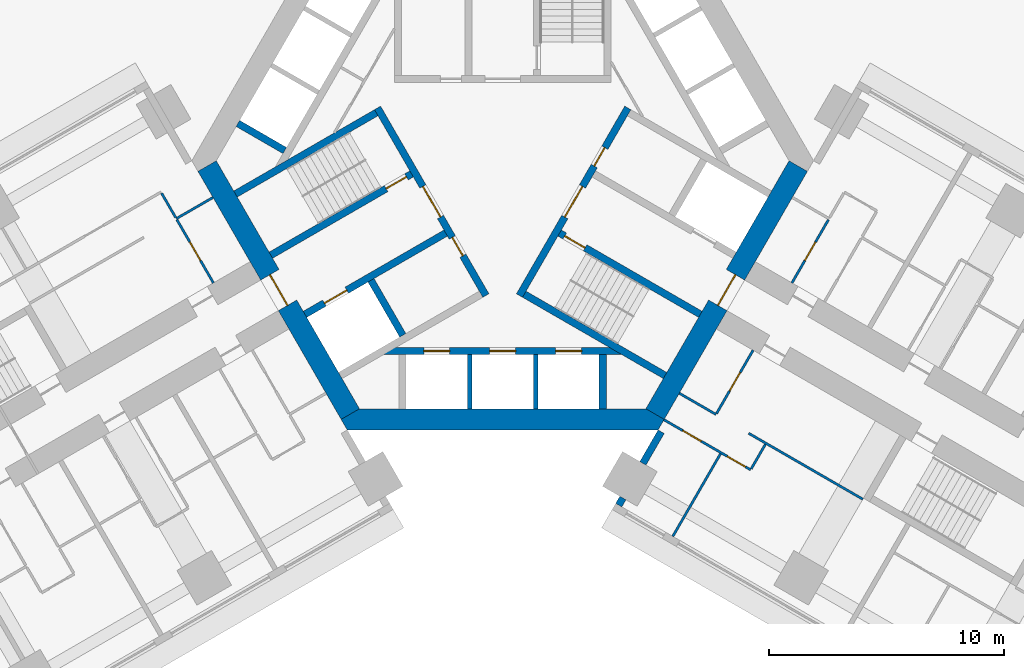
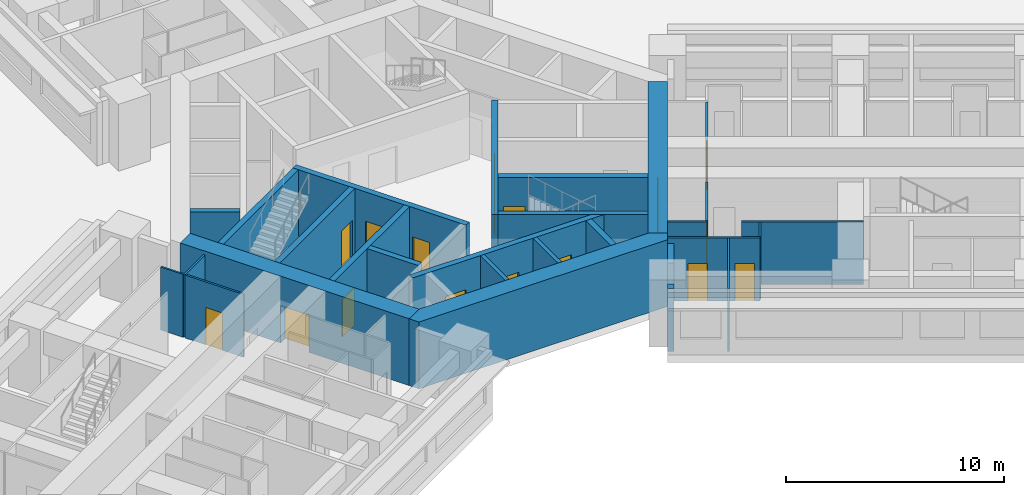
# One storey, part 6 of 18: 28 walls, 17 doors, 17 openings.
"""IFC4 building model written with IfcOpenShell, lengths in metres."""

from ifc_helpers import new_model, si_unit, direction, frame, frame_2d, origin, place, context, subcontext, project, spatial, polyline, rectangle, outline, extrude, material, layer, layer_set, type_object, element, fill, save


model = new_model("IFC4")

# Units and contexts
model_context = context("Model", 3, precision=1e-05, world=origin(), true_north=direction((0.0, 1.0)))
body_context = subcontext(model_context, "Body", "Model", "MODEL_VIEW")
ifc_project = project(units=[si_unit("LENGTHUNIT", "METRE"), si_unit("AREAUNIT", "SQUARE_METRE"), si_unit("VOLUMEUNIT", "CUBIC_METRE"), si_unit("PLANEANGLEUNIT", "RADIAN"), si_unit("MASSUNIT", "GRAM", prefix="KILO")], contexts=[model_context])

# Site, building, storey
site_placement = place(None, origin())
site = spatial("IfcSite", under=ifc_project, at=site_placement, CompositionType="ELEMENT")
building_placement = place(site_placement, origin())
building = spatial("IfcBuilding", under=site, at=building_placement, Name="Impinga Residences", CompositionType="ELEMENT")
storey_placement = place(building_placement, frame((0.0, 0.0, 26.0)))
storey = spatial("IfcBuildingStorey", under=building, at=storey_placement, Name="L05", CompositionType="ELEMENT", Elevation=26.0)

# Walls
ifc_material_1 = material(Name="Terracotta rainscreen on blockwork", Category="masonry")
ifc_layer_1 = layer(ifc_material_1, 0.300048828125)
ifc_layer_set_1 = layer_set([ifc_layer_1], Name="EW1 external wall, terracotta rainscreen on blockwork 300")
wall_type_1 = type_object("IfcWallType", Name="EW1 external wall, terracotta rainscreen on blockwork 300", PredefinedType="SOLIDWALL", material=ifc_layer_set_1)
wall_1_placement = place(storey_placement, frame((4.929931640625, -14.624267578125, 0.0), z_axis=(0.0, 0.0, 1.0), x_axis=(0.49996389635, 0.866046247233, 0.0)))
element("IfcWall", 1, at=wall_1_placement, inside=storey, type_object=wall_type_1, Name="External wall EW1 L05", PredefinedType="SOLIDWALL", context=body_context, shape_type="SweptSolid", body=[
    extrude(rectangle(XDim=0.35009765625, YDim=0.300048828125, at=frame_2d((0.175048828125, 0.0))), origin(), (0.0, 0.0, 1.0), 3.530029296875),
])
wall_2_placement = place(storey_placement, frame((5.954833984375, -12.848876953125, 0.0), z_axis=(0.0, 0.0, 1.0), x_axis=(0.500086022567, 0.865975732936, 0.0)))
element("IfcWall", 2, at=wall_2_placement, inside=storey, type_object=wall_type_1, Name="External wall EW1 L05", PredefinedType="SOLIDWALL", context=body_context, shape_type="SweptSolid", body=[
    extrude(rectangle(XDim=1.550048828125, YDim=0.300048828125, at=frame_2d((0.77490234375, 0.0))), origin(), (0.0, 0.0, 1.0), 3.530029296875),
])
ifc_material_2 = material(Name="Gypsum board on steel studs", Category="steel")
ifc_layer_2 = layer(ifc_material_2, 0.10009765625)
ifc_layer_set_2 = layer_set([ifc_layer_2], Name="Gypsum board on steel studs")
wall_type_2 = type_object("IfcWallType", Name="IP1 partition 100", PredefinedType="PARTITIONING", material=ifc_layer_set_2)
wall_3_placement = place(storey_placement, frame((-12.300048828125, -1.558837890625, 0.0), z_axis=(0.0, 0.0, 1.0), x_axis=(-0.866047807691, -0.499961193289, 0.0)))
element("IfcWall", 3, at=wall_3_placement, inside=storey, type_object=wall_type_2, Name="Partition L05-WF1:DIV0", PredefinedType="PARTITIONING", context=body_context, shape_type="SweptSolid", body=[
    extrude(rectangle(XDim=1.800048828125, YDim=0.10009765625, at=frame_2d((0.89990234375, 0.0))), origin(), (0.0, 0.0, 1.0), 3.530029296875),
])
wall_4_placement = place(storey_placement, frame((-13.8837890625, -2.41552734375, 0.0), z_axis=(0.0, 0.0, 1.0), x_axis=(-0.500033551112, 0.866006032174, 0.0)))
element("IfcWall", 4, at=wall_4_placement, inside=storey, type_object=wall_type_2, Name="Partition L05-WF1:SE0", PredefinedType="PARTITIONING", context=body_context, shape_type="SweptSolid", body=[
    extrude(rectangle(XDim=1.2001953125, YDim=0.10009765625, at=frame_2d((0.60009765625, 0.0))), origin(), (0.0, 0.0, 1.0), 3.530029296875),
])

# Wall, opening, door
wall_5_placement = place(storey_placement, frame((-12.283935546875, -5.186767578125, 0.0), z_axis=(0.0, 0.0, 1.0), x_axis=(-0.499967891604, 0.866043940782, 0.0)))
wall_5 = element("IfcWall", 5, at=wall_5_placement, inside=storey, type_object=wall_type_2, Name="Partition L05-WF1:IB1", PredefinedType="PARTITIONING", context=body_context, shape_type="SweptSolid", body=[
    extrude(rectangle(XDim=3.099853515625, YDim=0.10009765625, at=frame_2d((1.5498046875, 0.0))), origin(), (0.0, 0.0, 1.0), 3.530029296875),
])
opening_1_placement = place(wall_5_placement, frame((1.10009765625, 0.0, 0.0)))
opening_1 = element("IfcOpeningElement", 6, at=opening_1_placement, cuts=wall_5, Name="Opening D2", PredefinedType="OPENING", context=body_context, shape_type="SweptSolid", body=[
    extrude(rectangle(XDim=0.89990234375, YDim=2.10009765625, at=frame_2d((0.449951171875, 1.050048828125))), frame((0.0, 0.06005859375, 0.0), z_axis=(0.0, -1.0, 0.0), x_axis=(1.0, 0.0, 0.0)), (0.0, 0.0, 1.0), 0.1201171875),
])
ifc_material_3 = material(Name="Timber door set", Category="wood")
door_type_1 = type_object("IfcDoorType", Name="D2 internal door 900x2100", OperationType="SINGLE_SWING_LEFT", PredefinedType="DOOR", material=ifc_material_3)
door_1_placement = place(opening_1_placement, origin())
door_1 = element("IfcDoor", 7, at=door_1_placement, inside=storey, type_object=door_type_1, Name="Apartment L05-WF1 bathroom door", OperationType="SINGLE_SWING_LEFT", OverallHeight=2.10009765625, OverallWidth=0.89990234375, PredefinedType="DOOR", context=body_context, shape_type="SweptSolid", body=[
    extrude(rectangle(XDim=0.89990234375, YDim=2.10009765625, at=frame_2d((0.449951171875, 1.050048828125))), frame((0.0, 0.02490234375, 0.0), z_axis=(0.0, -1.0, 0.0), x_axis=(1.0, 0.0, 0.0)), (0.0, 0.0, 1.0), 0.050048828125),
])
fill(opening_1, door_1)

wall_6_placement = place(storey_placement, frame((12.283935546875, -5.186767578125, 0.0), z_axis=(0.0, 0.0, 1.0), x_axis=(0.499967891604, 0.866043940782, 0.0)))
wall_6 = element("IfcWall", 8, at=wall_6_placement, inside=storey, type_object=wall_type_2, Name="Partition L05-EA1:IB1", PredefinedType="PARTITIONING", context=body_context, shape_type="SweptSolid", body=[
    extrude(rectangle(XDim=3.099853515625, YDim=0.10009765625, at=frame_2d((1.5498046875, 0.0))), origin(), (0.0, 0.0, 1.0), 3.530029296875),
])
opening_2_placement = place(wall_6_placement, frame((1.10009765625, 0.0, 0.0)))
opening_2 = element("IfcOpeningElement", 9, at=opening_2_placement, cuts=wall_6, Name="Opening D2", PredefinedType="OPENING", context=body_context, shape_type="SweptSolid", body=[
    extrude(rectangle(XDim=0.89990234375, YDim=2.10009765625, at=frame_2d((0.449951171875, 1.050048828125))), frame((0.0, 0.06005859375, 0.0), z_axis=(0.0, -1.0, 0.0), x_axis=(1.0, 0.0, 0.0)), (0.0, 0.0, 1.0), 0.1201171875),
])
door_2_placement = place(opening_2_placement, origin())
door_2 = element("IfcDoor", 10, at=door_2_placement, inside=storey, type_object=door_type_1, Name="Apartment L05-EA1 bathroom door", OperationType="SINGLE_SWING_LEFT", OverallHeight=2.10009765625, OverallWidth=0.89990234375, PredefinedType="DOOR", context=body_context, shape_type="SweptSolid", body=[
    extrude(rectangle(XDim=0.89990234375, YDim=2.10009765625, at=frame_2d((0.449951171875, 1.050048828125))), frame((0.0, 0.02490234375, 0.0), z_axis=(0.0, -1.0, 0.0), x_axis=(1.0, 0.0, 0.0)), (0.0, 0.0, 1.0), 0.050048828125),
])
fill(opening_2, door_2)

# Walls
wall_7_placement = place(storey_placement, frame((7.5, -9.872802734375, 0.0), z_axis=(0.0, 0.0, 1.0), x_axis=(0.866047807691, -0.499961193289, 0.0)))
element("IfcWall", 11, at=wall_7_placement, inside=storey, type_object=wall_type_2, Name="Partition L05-EF1:DIV0", PredefinedType="PARTITIONING", context=body_context, shape_type="SweptSolid", body=[
    extrude(rectangle(XDim=1.800048828125, YDim=0.10009765625, at=frame_2d((0.89990234375, 0.0))), origin(), (0.0, 0.0, 1.0), 3.530029296875),
])
wall_8_placement = place(storey_placement, frame((10.444580078125, -11.57275390625, 0.0), z_axis=(0.0, 0.0, 1.0), x_axis=(0.866015695474, -0.500016814911, 0.0)))
element("IfcWall", 12, at=wall_8_placement, inside=storey, type_object=wall_type_2, Name="Partition L05-EF1:DIV1", PredefinedType="PARTITIONING", context=body_context, shape_type="SweptSolid", body=[
    extrude(rectangle(XDim=5.599853515625, YDim=0.10009765625, at=frame_2d((2.7998046875, 0.0))), origin(), (0.0, 0.0, 1.0), 3.530029296875),
])

# Wall, openings, doors
wall_9_placement = place(storey_placement, frame((6.85009765625, -10.99853515625, 0.0), z_axis=(0.0, 0.0, 1.0), x_axis=(0.866014341725, -0.50001915956, 0.0)))
wall_9 = element("IfcWall", 13, at=wall_9_placement, inside=storey, type_object=wall_type_2, Name="Partition L05-EF1:STRIP", PredefinedType="PARTITIONING", context=body_context, shape_type="SweptSolid", body=[
    extrude(rectangle(XDim=4.249755859375, YDim=0.10009765625, at=frame_2d((2.125, 0.0))), origin(), (0.0, 0.0, 1.0), 3.530029296875),
])
opening_3_placement = place(wall_9_placement, frame((0.925048828125, 0.0, 0.0)))
opening_3 = element("IfcOpeningElement", 14, at=opening_3_placement, cuts=wall_9, Name="Opening D2", PredefinedType="OPENING", context=body_context, shape_type="SweptSolid", body=[
    extrude(rectangle(XDim=0.89990234375, YDim=2.10009765625, at=frame_2d((0.449951171875, 1.050048828125))), frame((0.0, 0.06005859375, 0.0), z_axis=(0.0, -1.0, 0.0), x_axis=(1.0, 0.0, 0.0)), (0.0, 0.0, 1.0), 0.1201171875),
])
opening_4_placement = place(wall_9_placement, frame((3.10009765625, 0.0, 0.0)))
opening_4 = element("IfcOpeningElement", 15, at=opening_4_placement, cuts=wall_9, Name="Opening D2", PredefinedType="OPENING", context=body_context, shape_type="SweptSolid", body=[
    extrude(rectangle(XDim=0.89990234375, YDim=2.10009765625, at=frame_2d((0.449951171875, 1.050048828125))), frame((0.0, 0.06005859375, 0.0), z_axis=(0.0, -1.0, 0.0), x_axis=(1.0, 0.0, 0.0)), (0.0, 0.0, 1.0), 0.1201171875),
])
door_3_placement = place(opening_3_placement, origin())
door_3 = element("IfcDoor", 16, at=door_3_placement, inside=storey, type_object=door_type_1, Name="Apartment L05-EF1 room door", OperationType="SINGLE_SWING_LEFT", OverallHeight=2.10009765625, OverallWidth=0.89990234375, PredefinedType="DOOR", context=body_context, shape_type="SweptSolid", body=[
    extrude(rectangle(XDim=0.89990234375, YDim=2.10009765625, at=frame_2d((0.449951171875, 1.050048828125))), frame((0.0, 0.02490234375, 0.0), z_axis=(0.0, -1.0, 0.0), x_axis=(1.0, 0.0, 0.0)), (0.0, 0.0, 1.0), 0.050048828125),
])
fill(opening_3, door_3)
door_4_placement = place(opening_4_placement, origin())
door_4 = element("IfcDoor", 17, at=door_4_placement, inside=storey, type_object=door_type_1, Name="Apartment L05-EF1 room door", OperationType="SINGLE_SWING_RIGHT", OverallHeight=2.10009765625, OverallWidth=0.89990234375, PredefinedType="DOOR", context=body_context, shape_type="SweptSolid", body=[
    extrude(rectangle(XDim=0.89990234375, YDim=2.10009765625, at=frame_2d((0.449951171875, 1.050048828125))), frame((0.0, 0.02490234375, 0.0), z_axis=(0.0, -1.0, 0.0), x_axis=(1.0, 0.0, 0.0)), (0.0, 0.0, 1.0), 0.050048828125),
])
fill(opening_4, door_4)

# Wall
wall_10_placement = place(storey_placement, frame((11.155517578125, -12.041015625, 0.0), z_axis=(0.0, 0.0, 1.0), x_axis=(-0.499880961361, -0.866094119867, 0.0)))
element("IfcWall", 18, at=wall_10_placement, inside=storey, type_object=wall_type_2, Name="Partition L05-EF1:SE1", PredefinedType="PARTITIONING", context=body_context, shape_type="SweptSolid", body=[
    extrude(rectangle(XDim=1.199951171875, YDim=0.10009765625, at=frame_2d((0.60009765625, 0.0))), origin(), (0.0, 0.0, 1.0), 3.530029296875),
])

# Wall, opening, door
wall_11_placement = place(storey_placement, frame((10.6337890625, -8.044677734375, 0.0), z_axis=(0.0, 0.0, 1.0), x_axis=(-0.49999285859, -0.86602952684, 0.0)))
wall_11 = element("IfcWall", 19, at=wall_11_placement, inside=storey, type_object=wall_type_2, Name="Partition L05-EF1:IB1", PredefinedType="PARTITIONING", context=body_context, shape_type="SweptSolid", body=[
    extrude(rectangle(XDim=3.10009765625, YDim=0.10009765625, at=frame_2d((1.550048828125, 0.0))), origin(), (0.0, 0.0, 1.0), 3.530029296875),
])
opening_5_placement = place(wall_11_placement, frame((1.10009765625, 0.0, 0.0)))
opening_5 = element("IfcOpeningElement", 20, at=opening_5_placement, cuts=wall_11, Name="Opening D2", PredefinedType="OPENING", context=body_context, shape_type="SweptSolid", body=[
    extrude(rectangle(XDim=0.89990234375, YDim=2.10009765625, at=frame_2d((0.449951171875, 1.050048828125))), frame((0.0, 0.06005859375, 0.0), z_axis=(0.0, -1.0, 0.0), x_axis=(1.0, 0.0, 0.0)), (0.0, 0.0, 1.0), 0.1201171875),
])
door_5_placement = place(opening_5_placement, origin())
door_5 = element("IfcDoor", 21, at=door_5_placement, inside=storey, type_object=door_type_1, Name="Apartment L05-EF1 bathroom door", OperationType="SINGLE_SWING_LEFT", OverallHeight=2.10009765625, OverallWidth=0.89990234375, PredefinedType="DOOR", context=body_context, shape_type="SweptSolid", body=[
    extrude(rectangle(XDim=0.89990234375, YDim=2.10009765625, at=frame_2d((0.449951171875, 1.050048828125))), frame((0.0, 0.02490234375, 0.0), z_axis=(0.0, -1.0, 0.0), x_axis=(1.0, 0.0, 0.0)), (0.0, 0.0, 1.0), 0.050048828125),
])
fill(opening_5, door_5)

# Wall
wall_12_placement = place(storey_placement, frame((9.249755859375, -12.44189453125, 0.0), z_axis=(0.0, 0.0, 1.0), x_axis=(-0.499990325971, -0.866030989016, 0.0)))
element("IfcWall", 22, at=wall_12_placement, inside=storey, type_object=wall_type_2, Name="Partition L05-EF1:OB1", PredefinedType="PARTITIONING", context=body_context, shape_type="SweptSolid", body=[
    extrude(rectangle(XDim=4.0498046875, YDim=0.10009765625, at=frame_2d((2.02490234375, 0.0))), origin(), (0.0, 0.0, 1.0), 3.530029296875),
])

# Wall, opening, door
ifc_material_4 = material(Name="Concrete C70/85", Category="concrete")
ifc_layer_3 = layer(ifc_material_4, 0.89990234375)
ifc_layer_set_3 = layer_set([ifc_layer_3], Name="Concrete C70/85")
wall_type_3 = type_object("IfcWallType", Name="SW1 core wall 900", PredefinedType="SHEAR", material=ifc_layer_set_3)
wall_13_placement = place(storey_placement, frame((-6.47021484375, -10.756591796875, 0.0), z_axis=(0.0, 0.0, 1.0), x_axis=(-0.499997612506, 0.8660267822, 0.0)))
wall_13 = element("IfcWall", 23, at=wall_13_placement, inside=storey, type_object=wall_type_3, Name="Core wall SW1 W:FACE L05", PredefinedType="SHEAR", context=body_context, shape_type="SweptSolid", body=[
    extrude(rectangle(XDim=12.16064453125, YDim=0.89990234375, at=frame_2d((6.080322265625, 0.0))), origin(), (0.0, 0.0, 1.0), 3.75),
])
opening_6_placement = place(wall_13_placement, frame((5.330322265625, 0.0, 0.0)))
opening_6 = element("IfcOpeningElement", 24, at=opening_6_placement, cuts=wall_13, Name="Opening D4", PredefinedType="OPENING", context=body_context, shape_type="SweptSolid", body=[
    extrude(rectangle(XDim=1.5, YDim=2.10009765625, at=frame_2d((0.75, 1.050048828125))), frame((0.0, 0.4599609375, 0.0), z_axis=(0.0, -1.0, 0.0), x_axis=(1.0, 0.0, 0.0)), (0.0, 0.0, 1.0), 0.919921875),
])
door_type_2 = type_object("IfcDoorType", Name="D4 lobby door pair 1500x2100", OperationType="DOUBLE_DOOR_DOUBLE_SWING", PredefinedType="DOOR", material=ifc_material_3)
door_6_placement = place(opening_6_placement, origin())
door_6 = element("IfcDoor", 25, at=door_6_placement, inside=storey, type_object=door_type_2, Name="Lobby door W", OperationType="DOUBLE_DOOR_DOUBLE_SWING", OverallHeight=2.10009765625, OverallWidth=1.5, PredefinedType="DOOR", context=body_context, shape_type="SweptSolid", body=[
    extrude(rectangle(XDim=1.5, YDim=2.10009765625, at=frame_2d((0.75, 1.050048828125))), frame((0.0, 0.02490234375, 0.0), z_axis=(0.0, -1.0, 0.0), x_axis=(1.0, 0.0, 0.0)), (0.0, 0.0, 1.0), 0.050048828125),
])
fill(opening_6, door_6)

wall_14_placement = place(storey_placement, frame((12.550537109375, -0.22509765625, 0.0), z_axis=(0.0, 0.0, 1.0), x_axis=(-0.499997612506, -0.8660267822, 0.0)))
wall_14 = element("IfcWall", 26, at=wall_14_placement, inside=storey, type_object=wall_type_3, Name="Core wall SW1 E:FACE L05", PredefinedType="SHEAR", context=body_context, shape_type="SweptSolid", body=[
    extrude(rectangle(XDim=12.16064453125, YDim=0.89990234375, at=frame_2d((6.080322265625, 0.0))), origin(), (0.0, 0.0, 1.0), 3.75),
])
opening_7_placement = place(wall_14_placement, frame((5.330322265625, 0.0, 0.0)))
opening_7 = element("IfcOpeningElement", 27, at=opening_7_placement, cuts=wall_14, Name="Opening D4", PredefinedType="OPENING", context=body_context, shape_type="SweptSolid", body=[
    extrude(rectangle(XDim=1.5, YDim=2.10009765625, at=frame_2d((0.75, 1.050048828125))), frame((0.0, 0.4599609375, 0.0), z_axis=(0.0, -1.0, 0.0), x_axis=(1.0, 0.0, 0.0)), (0.0, 0.0, 1.0), 0.919921875),
])
door_7_placement = place(opening_7_placement, origin())
door_7 = element("IfcDoor", 28, at=door_7_placement, inside=storey, type_object=door_type_2, Name="Lobby door E", OperationType="DOUBLE_DOOR_DOUBLE_SWING", OverallHeight=2.10009765625, OverallWidth=1.5, PredefinedType="DOOR", context=body_context, shape_type="SweptSolid", body=[
    extrude(rectangle(XDim=1.5, YDim=2.10009765625, at=frame_2d((0.75, 1.050048828125))), frame((0.0, 0.02490234375, 0.0), z_axis=(0.0, -1.0, 0.0), x_axis=(1.0, 0.0, 0.0)), (0.0, 0.0, 1.0), 0.050048828125),
])
fill(opening_7, door_7)

# Wall
wall_15_placement = place(storey_placement, origin())
element("IfcWall", 29, at=wall_15_placement, inside=storey, type_object=wall_type_3, Name="Core wall SW1 N:EXPOSED L05", PredefinedType="SHEAR", context=body_context, shape_type="SweptSolid", body=[
    extrude(outline(polyline([(-6.60009765625, -11.431640625), (6.60009765625, -11.431640625), (6.85986328125, -10.9814453125), (6.080322265625, -10.531494140625), (-6.080322265625, -10.531494140625), (-6.85986328125, -10.9814453125), (-6.60009765625, -11.431640625)])), origin(), (0.0, 0.0, 1.0), 3.75),
])

# Wall, openings, doors
ifc_layer_4 = layer(ifc_material_4, 0.300048828125)
ifc_layer_set_4 = layer_set([ifc_layer_4], Name="Concrete C70/85")
wall_type_4 = type_object("IfcWallType", Name="SW5 core inner wall, stairs, shafts and lobbies 300", PredefinedType="SHEAR", material=ifc_layer_set_4)
wall_16_placement = place(storey_placement, frame((-0.7138671875, -5.7236328125, 0.0), z_axis=(0.0, 0.0, 1.0), x_axis=(-0.499995050369, 0.866028261437, 0.0)))
wall_16 = element("IfcWall", 30, at=wall_16_placement, inside=storey, type_object=wall_type_4, Name="Core wall SW5 W:ZONE L05", PredefinedType="SHEAR", context=body_context, shape_type="SweptSolid", body=[
    extrude(rectangle(XDim=9.19970703125, YDim=0.300048828125, at=frame_2d((4.599853515625, 0.0))), origin(), (0.0, 0.0, 1.0), 3.75),
])
opening_8_placement = place(wall_16_placement, frame((3.85009765625, 0.0, 0.0)))
opening_8 = element("IfcOpeningElement", 31, at=opening_8_placement, cuts=wall_16, Name="Opening D4", PredefinedType="OPENING", context=body_context, shape_type="SweptSolid", body=[
    extrude(rectangle(XDim=1.5, YDim=2.10009765625, at=frame_2d((0.75, 1.050048828125))), frame((0.0, 0.159912109375, 0.0), z_axis=(0.0, -1.0, 0.0), x_axis=(1.0, 0.0, 0.0)), (0.0, 0.0, 1.0), 0.320068359375),
])
opening_9_placement = place(wall_16_placement, frame((1.949951171875, 0.0, 0.0)))
opening_9 = element("IfcOpeningElement", 32, at=opening_9_placement, cuts=wall_16, Name="Opening D6", PredefinedType="OPENING", context=body_context, shape_type="SweptSolid", body=[
    extrude(rectangle(XDim=0.89990234375, YDim=2.10009765625, at=frame_2d((0.449951171875, 1.050048828125))), frame((0.0, 0.159912109375, 0.0), z_axis=(0.0, -1.0, 0.0), x_axis=(1.0, 0.0, 0.0)), (0.0, 0.0, 1.0), 0.320068359375),
])
door_8_placement = place(opening_8_placement, origin())
door_8 = element("IfcDoor", 33, at=door_8_placement, inside=storey, type_object=door_type_2, Name="Firefighting lobby door W", OperationType="DOUBLE_DOOR_DOUBLE_SWING", OverallHeight=2.10009765625, OverallWidth=1.5, PredefinedType="DOOR", context=body_context, shape_type="SweptSolid", body=[
    extrude(rectangle(XDim=1.5, YDim=2.10009765625, at=frame_2d((0.75, 1.050048828125))), frame((0.0, 0.02490234375, 0.0), z_axis=(0.0, -1.0, 0.0), x_axis=(1.0, 0.0, 0.0)), (0.0, 0.0, 1.0), 0.050048828125),
])
fill(opening_8, door_8)
door_type_3 = type_object("IfcDoorType", Name="D6 riser and store door 900x2100", OperationType="SINGLE_SWING_LEFT", PredefinedType="DOOR", material=ifc_material_3)
door_9_placement = place(opening_9_placement, origin())
door_9 = element("IfcDoor", 34, at=door_9_placement, inside=storey, type_object=door_type_3, Name="Riser door W", OperationType="SINGLE_SWING_LEFT", OverallHeight=2.10009765625, OverallWidth=0.89990234375, PredefinedType="DOOR", context=body_context, shape_type="SweptSolid", body=[
    extrude(rectangle(XDim=0.89990234375, YDim=2.10009765625, at=frame_2d((0.449951171875, 1.050048828125))), frame((0.0, 0.02490234375, 0.0), z_axis=(0.0, -1.0, 0.0), x_axis=(1.0, 0.0, 0.0)), (0.0, 0.0, 1.0), 0.050048828125),
])
fill(opening_9, door_9)

# Wall, opening, door
wall_17_placement = place(storey_placement, frame((-3.86865234375, -0.559326171875, 0.0), z_axis=(0.0, 0.0, 1.0), x_axis=(-0.86602711848, -0.499997030048, 0.0)))
wall_17 = element("IfcWall", 35, at=wall_17_placement, inside=storey, type_object=wall_type_4, Name="Core wall SW5 W:ST-IN L05", PredefinedType="SHEAR", context=body_context, shape_type="SweptSolid", body=[
    extrude(rectangle(XDim=6.9013671875, YDim=0.300048828125, at=frame_2d((3.45068359375, 0.0))), origin(), (0.0, 0.0, 1.0), 3.75),
])
opening_10_placement = place(wall_17_placement, frame((0.25, 0.0, 0.0)))
opening_10 = element("IfcOpeningElement", 36, at=opening_10_placement, cuts=wall_17, Name="Opening D5", PredefinedType="OPENING", context=body_context, shape_type="SweptSolid", body=[
    extrude(rectangle(XDim=1.0, YDim=2.10009765625, at=frame_2d((0.5, 1.050048828125))), frame((0.0, 0.159912109375, 0.0), z_axis=(0.0, -1.0, 0.0), x_axis=(1.0, 0.0, 0.0)), (0.0, 0.0, 1.0), 0.320068359375),
])
door_type_4 = type_object("IfcDoorType", Name="D5 stair door 1000x2100", OperationType="SINGLE_SWING_LEFT", PredefinedType="DOOR", material=ifc_material_3)
door_10_placement = place(opening_10_placement, origin())
door_10 = element("IfcDoor", 37, at=door_10_placement, inside=storey, type_object=door_type_4, Name="Stair door W", OperationType="SINGLE_SWING_LEFT", OverallHeight=2.10009765625, OverallWidth=1.0, PredefinedType="DOOR", context=body_context, shape_type="SweptSolid", body=[
    extrude(rectangle(XDim=1.0, YDim=2.10009765625, at=frame_2d((0.5, 1.050048828125))), frame((0.0, 0.02490234375, 0.0), z_axis=(0.0, -1.0, 0.0), x_axis=(1.0, 0.0, 0.0)), (0.0, 0.0, 1.0), 0.050048828125),
])
fill(opening_10, door_10)

# Wall
wall_18_placement = place(storey_placement, frame((-5.36865234375, 2.038818359375, 0.0), z_axis=(0.0, 0.0, 1.0), x_axis=(-0.86602711848, -0.499997030048, 0.0)))
element("IfcWall", 38, at=wall_18_placement, inside=storey, type_object=wall_type_4, Name="Core wall SW5 W:ST-OUT L05", PredefinedType="SHEAR", context=body_context, shape_type="SweptSolid", body=[
    extrude(rectangle(XDim=6.9013671875, YDim=0.300048828125, at=frame_2d((3.45068359375, 0.0))), origin(), (0.0, 0.0, 1.0), 3.75),
])

# Wall, opening, door
wall_19_placement = place(storey_placement, frame((-2.418701171875, -3.07080078125, 0.0), z_axis=(0.0, 0.0, 1.0), x_axis=(-0.86602711848, -0.499997030048, 0.0)))
wall_19 = element("IfcWall", 39, at=wall_19_placement, inside=storey, type_object=wall_type_4, Name="Core wall SW5 W:FF-IN L05", PredefinedType="SHEAR", context=body_context, shape_type="SweptSolid", body=[
    extrude(rectangle(XDim=6.9013671875, YDim=0.300048828125, at=frame_2d((3.45068359375, 0.0))), origin(), (0.0, 0.0, 1.0), 3.75),
])
opening_11_placement = place(wall_19_placement, frame((4.85009765625, 0.0, 0.0)))
opening_11 = element("IfcOpeningElement", 40, at=opening_11_placement, cuts=wall_19, Name="Opening LD2", PredefinedType="OPENING", context=body_context, shape_type="SweptSolid", body=[
    extrude(rectangle(XDim=1.10009765625, YDim=2.10009765625, at=frame_2d((0.550048828125, 1.050048828125))), frame((0.0, 0.159912109375, 0.0), z_axis=(0.0, -1.0, 0.0), x_axis=(1.0, 0.0, 0.0)), (0.0, 0.0, 1.0), 0.320068359375),
])
ifc_material_5 = material(Name="Steel lift landing door", Category="steel")
door_type_5 = type_object("IfcDoorType", Name="LD2 firefighting lift landing door 1100x2100", OperationType="DOUBLE_DOOR_SLIDING", PredefinedType="DOOR", material=ifc_material_5)
door_11_placement = place(opening_11_placement, origin())
door_11 = element("IfcDoor", 41, at=door_11_placement, inside=storey, type_object=door_type_5, Name="Firefighting lift landing door F2", OperationType="DOUBLE_DOOR_SLIDING", OverallHeight=2.10009765625, OverallWidth=1.10009765625, PredefinedType="DOOR", context=body_context, shape_type="SweptSolid", body=[
    extrude(rectangle(XDim=1.10009765625, YDim=2.10009765625, at=frame_2d((0.550048828125, 1.050048828125))), frame((0.0, 0.02490234375, 0.0), z_axis=(0.0, -1.0, 0.0), x_axis=(1.0, 0.0, 0.0)), (0.0, 0.0, 1.0), 0.050048828125),
])
fill(opening_11, door_11)

# Wall
wall_20_placement = place(storey_placement, frame((-4.2412109375, -7.413818359375, 0.0), z_axis=(0.0, 0.0, 1.0), x_axis=(-0.500048589285, 0.86599734893, 0.0)))
element("IfcWall", 42, at=wall_20_placement, inside=storey, type_object=wall_type_4, Name="Core wall SW5 W:FF-RS L05", PredefinedType="SHEAR", context=body_context, shape_type="SweptSolid", body=[
    extrude(rectangle(XDim=2.699951171875, YDim=0.300048828125, at=frame_2d((1.35009765625, 0.0))), origin(), (0.0, 0.0, 1.0), 3.75),
])

# Wall, openings, doors
wall_21_placement = place(storey_placement, frame((5.313720703125, 2.24365234375, 0.0), z_axis=(0.0, 0.0, 1.0), x_axis=(-0.499995050369, -0.866028261437, 0.0)))
wall_21 = element("IfcWall", 43, at=wall_21_placement, inside=storey, type_object=wall_type_4, Name="Core wall SW5 E:ZONE L05", PredefinedType="SHEAR", context=body_context, shape_type="SweptSolid", body=[
    extrude(rectangle(XDim=9.19970703125, YDim=0.300048828125, at=frame_2d((4.599853515625, 0.0))), origin(), (0.0, 0.0, 1.0), 3.75),
])
opening_12_placement = place(wall_21_placement, frame((3.85009765625, 0.0, 0.0)))
opening_12 = element("IfcOpeningElement", 44, at=opening_12_placement, cuts=wall_21, Name="Opening D4", PredefinedType="OPENING", context=body_context, shape_type="SweptSolid", body=[
    extrude(rectangle(XDim=1.5, YDim=2.10009765625, at=frame_2d((0.75, 1.050048828125))), frame((0.0, 0.159912109375, 0.0), z_axis=(0.0, -1.0, 0.0), x_axis=(1.0, 0.0, 0.0)), (0.0, 0.0, 1.0), 0.320068359375),
])
opening_13_placement = place(wall_21_placement, frame((1.949951171875, 0.0, 0.0)))
opening_13 = element("IfcOpeningElement", 45, at=opening_13_placement, cuts=wall_21, Name="Opening D6", PredefinedType="OPENING", context=body_context, shape_type="SweptSolid", body=[
    extrude(rectangle(XDim=0.89990234375, YDim=2.10009765625, at=frame_2d((0.449951171875, 1.050048828125))), frame((0.0, 0.159912109375, 0.0), z_axis=(0.0, -1.0, 0.0), x_axis=(1.0, 0.0, 0.0)), (0.0, 0.0, 1.0), 0.320068359375),
])
door_12_placement = place(opening_12_placement, origin())
door_12 = element("IfcDoor", 46, at=door_12_placement, inside=storey, type_object=door_type_2, Name="Firefighting lobby door E", OperationType="DOUBLE_DOOR_DOUBLE_SWING", OverallHeight=2.10009765625, OverallWidth=1.5, PredefinedType="DOOR", context=body_context, shape_type="SweptSolid", body=[
    extrude(rectangle(XDim=1.5, YDim=2.10009765625, at=frame_2d((0.75, 1.050048828125))), frame((0.0, 0.02490234375, 0.0), z_axis=(0.0, -1.0, 0.0), x_axis=(1.0, 0.0, 0.0)), (0.0, 0.0, 1.0), 0.050048828125),
])
fill(opening_12, door_12)
door_13_placement = place(opening_13_placement, origin())
door_13 = element("IfcDoor", 47, at=door_13_placement, inside=storey, type_object=door_type_3, Name="Riser door E", OperationType="SINGLE_SWING_LEFT", OverallHeight=2.10009765625, OverallWidth=0.89990234375, PredefinedType="DOOR", context=body_context, shape_type="SweptSolid", body=[
    extrude(rectangle(XDim=0.89990234375, YDim=2.10009765625, at=frame_2d((0.449951171875, 1.050048828125))), frame((0.0, 0.02490234375, 0.0), z_axis=(0.0, -1.0, 0.0), x_axis=(1.0, 0.0, 0.0)), (0.0, 0.0, 1.0), 0.050048828125),
])
fill(opening_13, door_13)

# Wall, opening, door
wall_22_placement = place(storey_placement, frame((2.418701171875, -3.07080078125, 0.0), z_axis=(0.0, 0.0, 1.0), x_axis=(0.86602711848, -0.499997030048, 0.0)))
wall_22 = element("IfcWall", 48, at=wall_22_placement, inside=storey, type_object=wall_type_4, Name="Core wall SW5 E:ST-IN L05", PredefinedType="SHEAR", context=body_context, shape_type="SweptSolid", body=[
    extrude(rectangle(XDim=6.9013671875, YDim=0.300048828125, at=frame_2d((3.45068359375, 0.0))), origin(), (0.0, 0.0, 1.0), 3.75),
])
opening_14_placement = place(wall_22_placement, frame((0.25, 0.0, 0.0)))
opening_14 = element("IfcOpeningElement", 49, at=opening_14_placement, cuts=wall_22, Name="Opening D5", PredefinedType="OPENING", context=body_context, shape_type="SweptSolid", body=[
    extrude(rectangle(XDim=1.0, YDim=2.10009765625, at=frame_2d((0.5, 1.050048828125))), frame((0.0, 0.159912109375, 0.0), z_axis=(0.0, -1.0, 0.0), x_axis=(1.0, 0.0, 0.0)), (0.0, 0.0, 1.0), 0.320068359375),
])
door_14_placement = place(opening_14_placement, origin())
door_14 = element("IfcDoor", 50, at=door_14_placement, inside=storey, type_object=door_type_4, Name="Stair door E", OperationType="SINGLE_SWING_LEFT", OverallHeight=2.10009765625, OverallWidth=1.0, PredefinedType="DOOR", context=body_context, shape_type="SweptSolid", body=[
    extrude(rectangle(XDim=1.0, YDim=2.10009765625, at=frame_2d((0.5, 1.050048828125))), frame((0.0, 0.02490234375, 0.0), z_axis=(0.0, -1.0, 0.0), x_axis=(1.0, 0.0, 0.0)), (0.0, 0.0, 1.0), 0.050048828125),
])
fill(opening_14, door_14)

# Wall
wall_23_placement = place(storey_placement, frame((0.918701171875, -5.668701171875, 0.0), z_axis=(0.0, 0.0, 1.0), x_axis=(0.866011800373, -0.500023561059, 0.0)))
element("IfcWall", 51, at=wall_23_placement, inside=storey, type_object=wall_type_4, Name="Core wall SW5 E:ST-OUT L05", PredefinedType="SHEAR", context=body_context, shape_type="SweptSolid", body=[
    extrude(rectangle(XDim=6.901611328125, YDim=0.300048828125, at=frame_2d((3.45068359375, 0.0))), origin(), (0.0, 0.0, 1.0), 3.75),
])

# Wall, openings, doors
wall_24_placement = place(storey_placement, frame((5.09765625, -8.08154296875, 0.0), z_axis=(0.0, 0.0, 1.0), x_axis=(-1.0, 0.0, 0.0)))
wall_24 = element("IfcWall", 52, at=wall_24_placement, inside=storey, type_object=wall_type_4, Name="Core wall SW5 N:BANK-FRONT L05", PredefinedType="SHEAR", context=body_context, shape_type="SweptSolid", body=[
    extrude(rectangle(XDim=10.1953125, YDim=0.300048828125, at=frame_2d((5.09765625, 0.0))), origin(), (0.0, 0.0, 1.0), 3.75),
])
opening_15_placement = place(wall_24_placement, frame((1.74755859375, 0.0, 0.0)))
opening_15 = element("IfcOpeningElement", 53, at=opening_15_placement, cuts=wall_24, Name="Opening LD1", PredefinedType="OPENING", context=body_context, shape_type="SweptSolid", body=[
    extrude(rectangle(XDim=1.10009765625, YDim=2.10009765625, at=frame_2d((0.550048828125, 1.050048828125))), frame((0.0, 0.159912109375, 0.0), z_axis=(0.0, -1.0, 0.0), x_axis=(1.0, 0.0, 0.0)), (0.0, 0.0, 1.0), 0.320068359375),
])
opening_16_placement = place(wall_24_placement, frame((4.547607421875, 0.0, 0.0)))
opening_16 = element("IfcOpeningElement", 54, at=opening_16_placement, cuts=wall_24, Name="Opening LD1", PredefinedType="OPENING", context=body_context, shape_type="SweptSolid", body=[
    extrude(rectangle(XDim=1.10009765625, YDim=2.10009765625, at=frame_2d((0.550048828125, 1.050048828125))), frame((0.0, 0.159912109375, 0.0), z_axis=(0.0, -1.0, 0.0), x_axis=(1.0, 0.0, 0.0)), (0.0, 0.0, 1.0), 0.320068359375),
])
opening_17_placement = place(wall_24_placement, frame((7.34765625, 0.0, 0.0)))
opening_17 = element("IfcOpeningElement", 55, at=opening_17_placement, cuts=wall_24, Name="Opening LD1", PredefinedType="OPENING", context=body_context, shape_type="SweptSolid", body=[
    extrude(rectangle(XDim=1.10009765625, YDim=2.10009765625, at=frame_2d((0.550048828125, 1.050048828125))), frame((0.0, 0.159912109375, 0.0), z_axis=(0.0, -1.0, 0.0), x_axis=(1.0, 0.0, 0.0)), (0.0, 0.0, 1.0), 0.320068359375),
])
door_type_6 = type_object("IfcDoorType", Name="LD1 passenger lift landing door 1100x2100", OperationType="DOUBLE_DOOR_SLIDING", PredefinedType="DOOR", material=ifc_material_5)
door_15_placement = place(opening_15_placement, origin())
door_15 = element("IfcDoor", 56, at=door_15_placement, inside=storey, type_object=door_type_6, Name="Lift landing door P1", OperationType="DOUBLE_DOOR_SLIDING", OverallHeight=2.10009765625, OverallWidth=1.10009765625, PredefinedType="DOOR", context=body_context, shape_type="SweptSolid", body=[
    extrude(rectangle(XDim=1.10009765625, YDim=2.10009765625, at=frame_2d((0.550048828125, 1.050048828125))), frame((0.0, 0.02490234375, 0.0), z_axis=(0.0, -1.0, 0.0), x_axis=(1.0, 0.0, 0.0)), (0.0, 0.0, 1.0), 0.050048828125),
])
fill(opening_15, door_15)
door_16_placement = place(opening_16_placement, origin())
door_16 = element("IfcDoor", 57, at=door_16_placement, inside=storey, type_object=door_type_6, Name="Lift landing door P2", OperationType="DOUBLE_DOOR_SLIDING", OverallHeight=2.10009765625, OverallWidth=1.10009765625, PredefinedType="DOOR", context=body_context, shape_type="SweptSolid", body=[
    extrude(rectangle(XDim=1.10009765625, YDim=2.10009765625, at=frame_2d((0.550048828125, 1.050048828125))), frame((0.0, 0.02490234375, 0.0), z_axis=(0.0, -1.0, 0.0), x_axis=(1.0, 0.0, 0.0)), (0.0, 0.0, 1.0), 0.050048828125),
])
fill(opening_16, door_16)
door_17_placement = place(opening_17_placement, origin())
door_17 = element("IfcDoor", 58, at=door_17_placement, inside=storey, type_object=door_type_6, Name="Lift landing door P3", OperationType="DOUBLE_DOOR_SLIDING", OverallHeight=2.10009765625, OverallWidth=1.10009765625, PredefinedType="DOOR", context=body_context, shape_type="SweptSolid", body=[
    extrude(rectangle(XDim=1.10009765625, YDim=2.10009765625, at=frame_2d((0.550048828125, 1.050048828125))), frame((0.0, 0.02490234375, 0.0), z_axis=(0.0, -1.0, 0.0), x_axis=(1.0, 0.0, 0.0)), (0.0, 0.0, 1.0), 0.050048828125),
])
fill(opening_17, door_17)

# Walls
for number, where, z_axis, x_axis, name in (
    (59, (4.25, -8.2314453125, 0.0), (0.0, 0.0, 1.0), (0.0, -1.0, 0.0), "Core wall SW5 N:BANK-L L05"),
    (60, (-9.253662109375, 0.43505859375, 0.0), (0.0, 0.0, 1.0), (-0.866007057882, 0.500031774688, 0.0), "Core wall SW5 E:BANK-L L05"),
):
    element("IfcWall", number, at=place(storey_placement, frame(where, z_axis=z_axis, x_axis=x_axis)), inside=storey, type_object=wall_type_4, Name=name, PredefinedType="SHEAR", context=body_context, shape_type="SweptSolid", body=[
        extrude(rectangle(XDim=2.300048828125, YDim=0.300048828125, at=frame_2d((1.14990234375, 0.0))), origin(), (0.0, 0.0, 1.0), 3.75),
    ])
ifc_layer_5 = layer(ifc_material_4, 0.199951171875)
ifc_layer_set_5 = layer_set([ifc_layer_5], Name="Concrete C70/85")
wall_type_5 = type_object("IfcWallType", Name="SW6 lift shaft divider wall 200", PredefinedType="SHEAR", material=ifc_layer_set_5)
for number, where, z_axis, x_axis, name in (
    (61, (1.39990234375, -8.2314453125, 0.0), (0.0, 0.0, 1.0), (0.0, -1.0, 0.0), "Core wall SW6 N:BANK-D1 L05"),
    (62, (-1.39990234375, -8.2314453125, 0.0), (0.0, 0.0, 1.0), (0.0, -1.0, 0.0), "Core wall SW6 N:BANK-D2 L05"),
):
    element("IfcWall", number, at=place(storey_placement, frame(where, z_axis=z_axis, x_axis=x_axis)), inside=storey, type_object=wall_type_5, Name=name, PredefinedType="SHEAR", context=body_context, shape_type="SweptSolid", body=[
        extrude(rectangle(XDim=2.300048828125, YDim=0.199951171875, at=frame_2d((1.14990234375, 0.0))), origin(), (0.0, 0.0, 1.0), 3.75),
    ])

save(model, "model.ifc")
